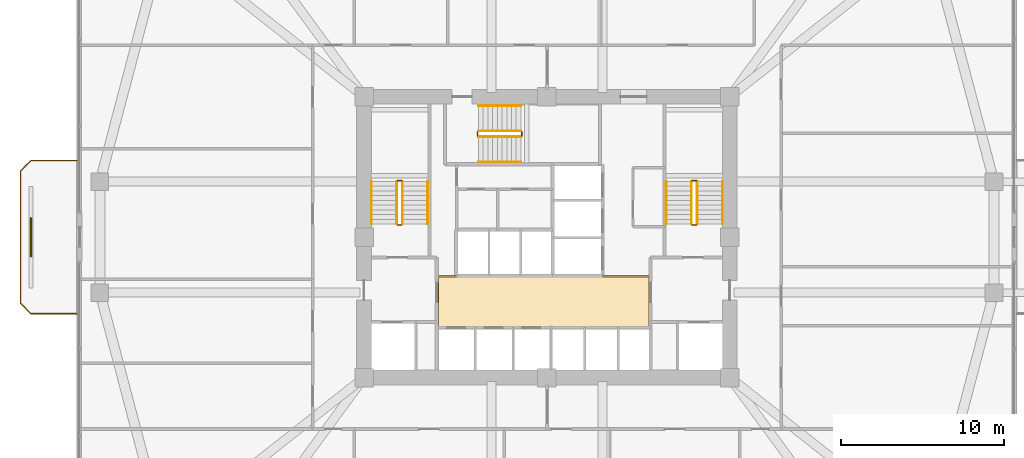
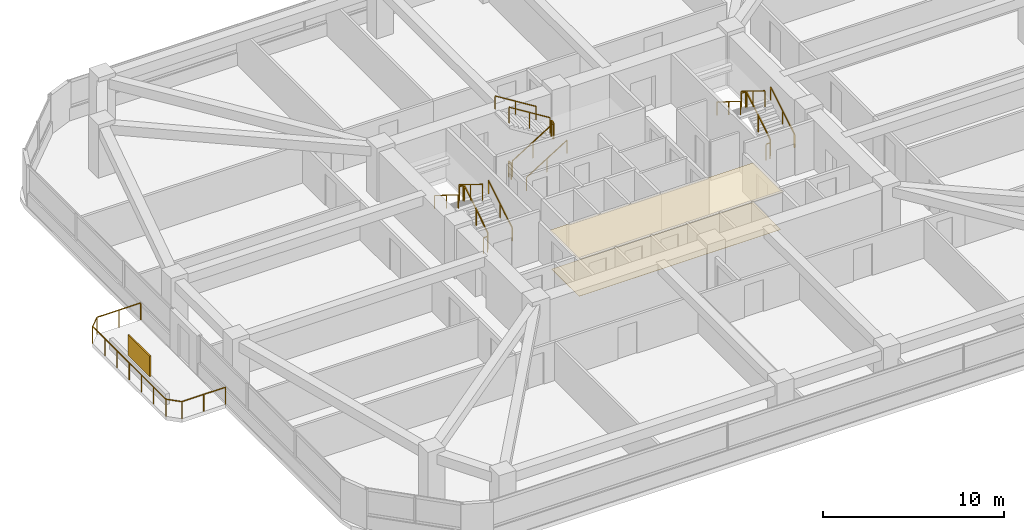
# One storey, part 14 of 15: 19 railings, 2 coverings, 1 shading device.
"""IFC4 building model written with IfcOpenShell, lengths in metres."""

from ifc_helpers import new_model, si_unit, derived_unit, direction, frame, origin, origin_2d, place, context, subcontext, project, spatial, polyline, rectangle, outline, extrude, material, layer, layer_set, type_object, element, save


model = new_model("IFC4")

# Units and contexts
model_context = context("Model", 3, precision=1e-05, world=origin(), true_north=direction((0.0, 1.0)))
body_context = subcontext(model_context, "Body", "Model", "MODEL_VIEW")
ifc_project = project(units=[si_unit("LENGTHUNIT", "METRE"), si_unit("AREAUNIT", "SQUARE_METRE"), si_unit("VOLUMEUNIT", "CUBIC_METRE"), si_unit("PLANEANGLEUNIT", "RADIAN"), si_unit("MASSUNIT", "GRAM", prefix="KILO"), derived_unit("THERMALTRANSMITTANCEUNIT", [(si_unit("POWERUNIT", "WATT"), 1), (si_unit("LENGTHUNIT", "METRE"), -2), (si_unit("THERMODYNAMICTEMPERATUREUNIT", "KELVIN"), -1)])], contexts=[model_context])

# Site, building, storey
site_placement = place(None, origin())
site = spatial("IfcSite", under=ifc_project, at=site_placement, CompositionType="ELEMENT")
building_placement = place(site_placement, origin())
building = spatial("IfcBuilding", under=site, at=building_placement, Name="Koralith Skygarden Medical Center", CompositionType="ELEMENT")
storey_placement = place(building_placement, frame((0.0, 0.0, 56.340087890625)))
storey = spatial("IfcBuildingStorey", under=building, at=storey_placement, Name="L14", CompositionType="ELEMENT", Elevation=56.340087890625)

# Covering
ifc_material_1 = material(Name="Acoustic Mineral Tile")
ifc_layer_1 = layer(ifc_material_1, 0.02001953125)
ifc_layer_set_1 = layer_set([ifc_layer_1], Name="Acoustic Mineral Tile")
covering_type_1 = type_object("IfcCoveringType", Name="Acoustic Hygienic Mineral Ceiling 20", PredefinedType="CEILING", material=ifc_layer_set_1)
covering_1_placement = place(storey_placement, frame((0.0, 0.0, 2.5849609375)))
element("IfcCovering", 1, at=covering_1_placement, inside=storey, type_object=covering_type_1, Name="L14 Core Lobby Acoustic Ceiling", PredefinedType="CEILING", context=body_context, shape_type="SweptSolid", body=[
    extrude(outline(polyline([(30.25, 20.320068359375), (43.35009765625, 20.320068359375), (43.35009765625, 23.56005859375), (30.25, 23.56005859375), (30.25, 20.320068359375)])), origin(), (0.0, 0.0, 1.0), 0.02001953125),
])

# Railing
ifc_material_2 = material(Name="Steel ASTM A500 Grade C", Category="steel")
railing_type_1 = type_object("IfcRailingType", Name="Outdoor Terrace & Balcony Safety Guardrail 1180", PredefinedType="GUARDRAIL", material=ifc_material_2)
railing_1_placement = place(storey_placement, frame((8.199951171875, 21.199951171875, 0.0)))
element("IfcRailing", 2, at=railing_1_placement, inside=storey, type_object=railing_type_1, Name="L14 W Balcony Perimeter Guardrail", PredefinedType="GUARDRAIL", context=body_context, shape_type="SweptSolid", body=[
    extrude(rectangle(XDim=0.050048828125, YDim=0.050048828125, at=origin_2d()), frame((-0.001953125, 0.0, 1.15478515625), z_axis=(-1.0, 0.0, 0.0), x_axis=(0.0, -1.0, 0.0)), (0.0, 0.0, 1.0), 2.796142578125),
    extrude(rectangle(XDim=0.050048828125, YDim=0.050048828125, at=origin_2d()), frame((-2.801513671875, 0.00146484375, 1.15478515625), z_axis=(-0.706973978714, 0.707239558722, 0.0), x_axis=(-0.707239558722, -0.706973978714, 0.0)), (0.0, 0.0, 1.0), 0.915283203125),
    extrude(rectangle(XDim=0.050048828125, YDim=0.050048828125, at=origin_2d()), frame((-3.449951171875, 0.652099609375, 1.15478515625), z_axis=(0.0, 1.0, 0.0), x_axis=(-1.0, 0.0, 0.0)), (0.0, 0.0, 1.0), 8.095947265625),
    extrude(rectangle(XDim=0.050048828125, YDim=0.050048828125, at=origin_2d()), frame((-3.448486328125, 8.75146484375, 1.15478515625), z_axis=(0.706973978714, 0.707239558722, 0.0), x_axis=(-0.707239558722, 0.706973978714, 0.0)), (0.0, 0.0, 1.0), 0.915283203125),
    extrude(rectangle(XDim=0.050048828125, YDim=0.050048828125, at=origin_2d()), frame((-2.798095703125, 9.400146484375, 1.15478515625), z_axis=(1.0, 0.0, 0.0), x_axis=(0.0, 1.0, 0.0)), (0.0, 0.0, 1.0), 2.796142578125),
    extrude(rectangle(XDim=0.0419921875, YDim=0.0419921875, at=origin_2d()), origin(), (0.0, 0.0, 1.0), 1.1279296875),
    extrude(rectangle(XDim=0.0419921875, YDim=0.0419921875, at=origin_2d()), frame((-1.39990234375, 0.0, 0.0)), (0.0, 0.0, 1.0), 1.1279296875),
    extrude(rectangle(XDim=0.0419921875, YDim=0.0419921875, at=origin_2d()), frame((-2.800048828125, 0.0, 0.0)), (0.0, 0.0, 1.0), 1.1279296875),
    extrude(rectangle(XDim=0.0419921875, YDim=0.0419921875, at=origin_2d()), frame((-3.449951171875, 0.650146484375, 0.0)), (0.0, 0.0, 1.0), 1.1279296875),
    extrude(rectangle(XDim=0.0419921875, YDim=0.0419921875, at=origin_2d()), frame((-3.449951171875, 2.0, 0.0)), (0.0, 0.0, 1.0), 1.1279296875),
    extrude(rectangle(XDim=0.0419921875, YDim=0.0419921875, at=origin_2d()), frame((-3.449951171875, 3.35009765625, 0.0)), (0.0, 0.0, 1.0), 1.1279296875),
    extrude(rectangle(XDim=0.0419921875, YDim=0.0419921875, at=origin_2d()), frame((-3.449951171875, 4.7001953125, 0.0)), (0.0, 0.0, 1.0), 1.1279296875),
    extrude(rectangle(XDim=0.0419921875, YDim=0.0419921875, at=origin_2d()), frame((-3.449951171875, 6.050048828125, 0.0)), (0.0, 0.0, 1.0), 1.1279296875),
    extrude(rectangle(XDim=0.0419921875, YDim=0.0419921875, at=origin_2d()), frame((-3.449951171875, 7.39990234375, 0.0)), (0.0, 0.0, 1.0), 1.1279296875),
    extrude(rectangle(XDim=0.0419921875, YDim=0.0419921875, at=origin_2d()), frame((-3.449951171875, 8.75, 0.0)), (0.0, 0.0, 1.0), 1.1279296875),
    extrude(rectangle(XDim=0.0419921875, YDim=0.0419921875, at=origin_2d()), frame((-2.800048828125, 9.400146484375, 0.0)), (0.0, 0.0, 1.0), 1.1279296875),
    extrude(rectangle(XDim=0.0419921875, YDim=0.0419921875, at=origin_2d()), frame((-1.39990234375, 9.400146484375, 0.0)), (0.0, 0.0, 1.0), 1.1279296875),
    extrude(rectangle(XDim=0.0419921875, YDim=0.0419921875, at=origin_2d()), frame((0.0, 9.400146484375, 0.0)), (0.0, 0.0, 1.0), 1.1279296875),
])

# Shading device
ifc_material_3 = material(Name="Aluminium 6063-T6", Category="aluminium")
ifc_layer_2 = layer(ifc_material_3, 0.080078125)
ifc_layer_set_2 = layer_set([ifc_layer_2], Name="Aluminium 6063-T6")
shading_device_type = type_object("IfcShadingDeviceType", Name="Perforated Biophilic Balcony Trellis Screen", PredefinedType="USERDEFINED", material=ifc_layer_set_2)
shading_device_placement = place(storey_placement, frame((5.39990234375, 25.89990234375, 0.719970703125), z_axis=(0.0, 0.0, 1.0), x_axis=(0.0, 1.0, 0.0)))
element("IfcShadingDevice", 3, at=shading_device_placement, inside=storey, type_object=shading_device_type, Name="L14 W Biophilic Balcony Trellis Screen", ObjectType="HURRICANE SCREEN", PredefinedType="USERDEFINED", context=body_context, shape_type="SweptSolid", body=[
    extrude(rectangle(XDim=2.39990234375, YDim=0.080078125, at=origin_2d()), origin(), (0.0, 0.0, 1.0), 1.39990234375),
])

# Covering
ifc_material_4 = material(Name="Medical Terrazzo Flooring")
ifc_layer_3 = layer(ifc_material_4, 0.014892578125)
ifc_layer_set_3 = layer_set([ifc_layer_3], Name="Medical Terrazzo Flooring")
covering_type_2 = type_object("IfcCoveringType", Name="Seamless Antimicrobial Terrazzo Flooring 15", PredefinedType="FLOORING", material=ifc_layer_set_3)
covering_2_placement = place(storey_placement, origin())
element("IfcCovering", 4, at=covering_2_placement, inside=storey, type_object=covering_type_2, Name="L14 Core Lobby Terrazzo Flooring", PredefinedType="FLOORING", context=body_context, shape_type="SweptSolid", body=[
    extrude(outline(polyline([(30.35009765625, 20.419921875), (43.25, 20.419921875), (43.25, 23.4599609375), (30.35009765625, 23.4599609375), (30.35009765625, 20.419921875)])), origin(), (0.0, 0.0, 1.0), 0.014892578125),
])

# Railings
railing_type_2 = type_object("IfcRailingType", Name="Stair Flight Tubular Handrail 920", PredefinedType="HANDRAIL", material=ifc_material_2)
railing_2_placement = place(storey_placement, frame((29.699951171875, 26.699951171875, 0.179931640625)))
element("IfcRailing", 5, at=railing_2_placement, inside=storey, type_object=railing_type_2, Name="L14 ST1 stair handrail 1", PredefinedType="HANDRAIL", context=body_context, shape_type="SweptSolid", body=[
    extrude(rectangle(XDim=0.050048828125, YDim=0.050048828125, at=origin_2d()), frame((0.0, 0.001708984375, 0.89599609375), z_axis=(0.0, 0.849668407637, 0.527317358963), x_axis=(-1.0, 0.0, 0.0)), (0.0, 0.0, 1.0), 3.06787109375),
    extrude(rectangle(XDim=0.0419921875, YDim=0.0419921875, at=origin_2d()), origin(), (0.0, 0.0, 1.0), 0.867919921875),
    extrude(rectangle(XDim=0.0419921875, YDim=0.0419921875, at=origin_2d()), frame((0.0, 1.30517578125, 0.81005859375)), (0.0, 0.0, 1.0), 0.867919921875),
    extrude(rectangle(XDim=0.0419921875, YDim=0.0419921875, at=origin_2d()), frame((0.0, 2.610107421875, 1.619873046875)), (0.0, 0.0, 1.0), 0.867919921875),
])
railing_3_placement = place(storey_placement, frame((26.25, 29.31005859375, 1.97998046875)))
element("IfcRailing", 6, at=railing_3_placement, inside=storey, type_object=railing_type_2, Name="L14 ST1 stair handrail 2", PredefinedType="HANDRAIL", context=body_context, shape_type="SweptSolid", body=[
    extrude(rectangle(XDim=0.050048828125, YDim=0.050048828125, at=origin_2d()), frame((0.0, -0.001708984375, 0.89599609375), z_axis=(0.0, -0.849668407637, 0.527317358963), x_axis=(1.0, 0.0, 0.0)), (0.0, 0.0, 1.0), 3.06787109375),
    extrude(rectangle(XDim=0.0419921875, YDim=0.0419921875, at=origin_2d()), origin(), (0.0, 0.0, 1.0), 0.867919921875),
    extrude(rectangle(XDim=0.0419921875, YDim=0.0419921875, at=origin_2d()), frame((0.0, -1.30517578125, 0.81005859375)), (0.0, 0.0, 1.0), 0.867919921875),
    extrude(rectangle(XDim=0.0419921875, YDim=0.0419921875, at=origin_2d()), frame((0.0, -2.610107421875, 1.619873046875)), (0.0, 0.0, 1.0), 0.867919921875),
])
railing_4_placement = place(storey_placement, frame((47.75, 26.699951171875, 0.179931640625)))
element("IfcRailing", 7, at=railing_4_placement, inside=storey, type_object=railing_type_2, Name="L14 ST2 stair handrail 1", PredefinedType="HANDRAIL", context=body_context, shape_type="SweptSolid", body=[
    extrude(rectangle(XDim=0.050048828125, YDim=0.050048828125, at=origin_2d()), frame((0.0, 0.001708984375, 0.89599609375), z_axis=(0.0, 0.849668407637, 0.527317358963), x_axis=(-1.0, 0.0, 0.0)), (0.0, 0.0, 1.0), 3.06787109375),
    extrude(rectangle(XDim=0.0419921875, YDim=0.0419921875, at=origin_2d()), origin(), (0.0, 0.0, 1.0), 0.867919921875),
    extrude(rectangle(XDim=0.0419921875, YDim=0.0419921875, at=origin_2d()), frame((0.0, 1.30517578125, 0.81005859375)), (0.0, 0.0, 1.0), 0.867919921875),
    extrude(rectangle(XDim=0.0419921875, YDim=0.0419921875, at=origin_2d()), frame((0.0, 2.610107421875, 1.619873046875)), (0.0, 0.0, 1.0), 0.867919921875),
])
railing_5_placement = place(storey_placement, frame((44.300048828125, 29.31005859375, 1.97998046875)))
element("IfcRailing", 8, at=railing_5_placement, inside=storey, type_object=railing_type_2, Name="L14 ST2 stair handrail 2", PredefinedType="HANDRAIL", context=body_context, shape_type="SweptSolid", body=[
    extrude(rectangle(XDim=0.050048828125, YDim=0.050048828125, at=origin_2d()), frame((0.0, -0.001708984375, 0.89599609375), z_axis=(0.0, -0.849668407637, 0.527317358963), x_axis=(1.0, 0.0, 0.0)), (0.0, 0.0, 1.0), 3.06787109375),
    extrude(rectangle(XDim=0.0419921875, YDim=0.0419921875, at=origin_2d()), origin(), (0.0, 0.0, 1.0), 0.867919921875),
    extrude(rectangle(XDim=0.0419921875, YDim=0.0419921875, at=origin_2d()), frame((0.0, -1.30517578125, 0.81005859375)), (0.0, 0.0, 1.0), 0.867919921875),
    extrude(rectangle(XDim=0.0419921875, YDim=0.0419921875, at=origin_2d()), frame((0.0, -2.610107421875, 1.619873046875)), (0.0, 0.0, 1.0), 0.867919921875),
])
railing_6_placement = place(storey_placement, frame((32.800048828125, 30.5, 0.179931640625)))
element("IfcRailing", 9, at=railing_6_placement, inside=storey, type_object=railing_type_2, Name="L14 ST3 stair handrail 1", PredefinedType="HANDRAIL", context=body_context, shape_type="SweptSolid", body=[
    extrude(rectangle(XDim=0.050048828125, YDim=0.050048828125, at=origin_2d()), frame((0.001708984375, 0.0, 0.89599609375), z_axis=(0.849646306263, 0.0, 0.527352969322), x_axis=(0.0, 1.0, 0.0)), (0.0, 0.0, 1.0), 3.067626953125),
    extrude(rectangle(XDim=0.0419921875, YDim=0.0419921875, at=origin_2d()), origin(), (0.0, 0.0, 1.0), 0.867919921875),
    extrude(rectangle(XDim=0.0419921875, YDim=0.0419921875, at=origin_2d()), frame((1.304931640625, 0.0, 0.81005859375)), (0.0, 0.0, 1.0), 0.867919921875),
    extrude(rectangle(XDim=0.0419921875, YDim=0.0419921875, at=origin_2d()), frame((2.60986328125, 0.0, 1.619873046875)), (0.0, 0.0, 1.0), 0.867919921875),
])
railing_7_placement = place(storey_placement, frame((35.409912109375, 33.949951171875, 1.97998046875)))
element("IfcRailing", 10, at=railing_7_placement, inside=storey, type_object=railing_type_2, Name="L14 ST3 stair handrail 2", PredefinedType="HANDRAIL", context=body_context, shape_type="SweptSolid", body=[
    extrude(rectangle(XDim=0.050048828125, YDim=0.050048828125, at=origin_2d()), frame((-0.001708984375, 0.0, 0.89599609375), z_axis=(-0.849646306263, 0.0, 0.527352969322), x_axis=(0.0, -1.0, 0.0)), (0.0, 0.0, 1.0), 3.067626953125),
    extrude(rectangle(XDim=0.0419921875, YDim=0.0419921875, at=origin_2d()), origin(), (0.0, 0.0, 1.0), 0.867919921875),
    extrude(rectangle(XDim=0.0419921875, YDim=0.0419921875, at=origin_2d()), frame((-1.304931640625, 0.0, 0.81005859375)), (0.0, 0.0, 1.0), 0.867919921875),
    extrude(rectangle(XDim=0.0419921875, YDim=0.0419921875, at=origin_2d()), frame((-2.60986328125, 0.0, 1.619873046875)), (0.0, 0.0, 1.0), 0.867919921875),
])
railing_type_3 = type_object("IfcRailingType", Name="Stair Well Safety Guardrail 1100", PredefinedType="GUARDRAIL", material=ifc_material_2)
railing_8_placement = place(storey_placement, frame((28.14990234375, 26.699951171875, 0.179931640625)))
element("IfcRailing", 11, at=railing_8_placement, inside=storey, type_object=railing_type_3, Name="L14 ST1 stair guard 1", PredefinedType="GUARDRAIL", context=body_context, shape_type="SweptSolid", body=[
    extrude(rectangle(XDim=0.050048828125, YDim=0.050048828125, at=origin_2d()), frame((0.0, 0.001708984375, 1.076171875), z_axis=(0.0, 0.849668407637, 0.527317358963), x_axis=(-1.0, 0.0, 0.0)), (0.0, 0.0, 1.0), 3.06787109375),
    extrude(rectangle(XDim=0.0419921875, YDim=0.0419921875, at=origin_2d()), origin(), (0.0, 0.0, 1.0), 1.048095703125),
    extrude(rectangle(XDim=0.0419921875, YDim=0.0419921875, at=origin_2d()), frame((0.0, 1.30517578125, 0.81005859375)), (0.0, 0.0, 1.0), 1.048095703125),
    extrude(rectangle(XDim=0.0419921875, YDim=0.0419921875, at=origin_2d()), frame((0.0, 2.610107421875, 1.619873046875)), (0.0, 0.0, 1.0), 1.048095703125),
])
railing_9_placement = place(storey_placement, frame((28.10009765625, 29.360107421875, 1.7998046875)))
element("IfcRailing", 12, at=railing_9_placement, inside=storey, type_object=railing_type_3, Name="L14 ST1 stair guard 2", PredefinedType="GUARDRAIL", context=body_context, shape_type="SweptSolid", body=[
    extrude(rectangle(XDim=0.050048828125, YDim=0.050048828125, at=origin_2d()), frame((-0.001953125, 0.0, 1.0751953125), z_axis=(-1.0, 0.0, 0.0), x_axis=(0.0, -1.0, 0.0)), (0.0, 0.0, 1.0), 0.24609375),
    extrude(rectangle(XDim=0.0419921875, YDim=0.0419921875, at=origin_2d()), origin(), (0.0, 0.0, 1.0), 1.048095703125),
    extrude(rectangle(XDim=0.0419921875, YDim=0.0419921875, at=origin_2d()), frame((-0.25, 0.0, 0.0)), (0.0, 0.0, 1.0), 1.048095703125),
])
railing_10_placement = place(storey_placement, frame((27.800048828125, 29.31005859375, 1.97998046875)))
element("IfcRailing", 13, at=railing_10_placement, inside=storey, type_object=railing_type_3, Name="L14 ST1 stair guard 3", PredefinedType="GUARDRAIL", context=body_context, shape_type="SweptSolid", body=[
    extrude(rectangle(XDim=0.050048828125, YDim=0.050048828125, at=origin_2d()), frame((0.0, -0.001708984375, 1.076171875), z_axis=(0.0, -0.849668407637, 0.527317358963), x_axis=(1.0, 0.0, 0.0)), (0.0, 0.0, 1.0), 3.06787109375),
    extrude(rectangle(XDim=0.0419921875, YDim=0.0419921875, at=origin_2d()), origin(), (0.0, 0.0, 1.0), 1.048095703125),
    extrude(rectangle(XDim=0.0419921875, YDim=0.0419921875, at=origin_2d()), frame((0.0, -1.30517578125, 0.81005859375)), (0.0, 0.0, 1.0), 1.048095703125),
    extrude(rectangle(XDim=0.0419921875, YDim=0.0419921875, at=origin_2d()), frame((0.0, -2.610107421875, 1.619873046875)), (0.0, 0.0, 1.0), 1.048095703125),
])
railing_11_placement = place(storey_placement, frame((28.10009765625, 26.64990234375, 0.0)))
element("IfcRailing", 14, at=railing_11_placement, inside=storey, type_object=railing_type_3, Name="L14 ST1 stair guard 4", PredefinedType="GUARDRAIL", context=body_context, shape_type="SweptSolid", body=[
    extrude(rectangle(XDim=0.050048828125, YDim=0.050048828125, at=origin_2d()), frame((-0.001953125, 0.0, 1.0751953125), z_axis=(-1.0, 0.0, 0.0), x_axis=(0.0, -1.0, 0.0)), (0.0, 0.0, 1.0), 0.24609375),
    extrude(rectangle(XDim=0.0419921875, YDim=0.0419921875, at=origin_2d()), origin(), (0.0, 0.0, 1.0), 1.048095703125),
    extrude(rectangle(XDim=0.0419921875, YDim=0.0419921875, at=origin_2d()), frame((-0.25, 0.0, 0.0)), (0.0, 0.0, 1.0), 1.048095703125),
])
railing_12_placement = place(storey_placement, frame((46.199951171875, 26.699951171875, 0.179931640625)))
element("IfcRailing", 15, at=railing_12_placement, inside=storey, type_object=railing_type_3, Name="L14 ST2 stair guard 1", PredefinedType="GUARDRAIL", context=body_context, shape_type="SweptSolid", body=[
    extrude(rectangle(XDim=0.050048828125, YDim=0.050048828125, at=origin_2d()), frame((0.0, 0.001708984375, 1.076171875), z_axis=(0.0, 0.849668407637, 0.527317358963), x_axis=(-1.0, 0.0, 0.0)), (0.0, 0.0, 1.0), 3.06787109375),
    extrude(rectangle(XDim=0.0419921875, YDim=0.0419921875, at=origin_2d()), origin(), (0.0, 0.0, 1.0), 1.048095703125),
    extrude(rectangle(XDim=0.0419921875, YDim=0.0419921875, at=origin_2d()), frame((0.0, 1.30517578125, 0.81005859375)), (0.0, 0.0, 1.0), 1.048095703125),
    extrude(rectangle(XDim=0.0419921875, YDim=0.0419921875, at=origin_2d()), frame((0.0, 2.610107421875, 1.619873046875)), (0.0, 0.0, 1.0), 1.048095703125),
])
railing_13_placement = place(storey_placement, frame((46.14990234375, 29.360107421875, 1.7998046875)))
element("IfcRailing", 16, at=railing_13_placement, inside=storey, type_object=railing_type_3, Name="L14 ST2 stair guard 2", PredefinedType="GUARDRAIL", context=body_context, shape_type="SweptSolid", body=[
    extrude(rectangle(XDim=0.050048828125, YDim=0.050048828125, at=origin_2d()), frame((-0.001953125, 0.0, 1.0751953125), z_axis=(-1.0, 0.0, 0.0), x_axis=(0.0, -1.0, 0.0)), (0.0, 0.0, 1.0), 0.24609375),
    extrude(rectangle(XDim=0.0419921875, YDim=0.0419921875, at=origin_2d()), origin(), (0.0, 0.0, 1.0), 1.048095703125),
    extrude(rectangle(XDim=0.0419921875, YDim=0.0419921875, at=origin_2d()), frame((-0.25, 0.0, 0.0)), (0.0, 0.0, 1.0), 1.048095703125),
])
railing_14_placement = place(storey_placement, frame((45.85009765625, 29.31005859375, 1.97998046875)))
element("IfcRailing", 17, at=railing_14_placement, inside=storey, type_object=railing_type_3, Name="L14 ST2 stair guard 3", PredefinedType="GUARDRAIL", context=body_context, shape_type="SweptSolid", body=[
    extrude(rectangle(XDim=0.050048828125, YDim=0.050048828125, at=origin_2d()), frame((0.0, -0.001708984375, 1.076171875), z_axis=(0.0, -0.849668407637, 0.527317358963), x_axis=(1.0, 0.0, 0.0)), (0.0, 0.0, 1.0), 3.06787109375),
    extrude(rectangle(XDim=0.0419921875, YDim=0.0419921875, at=origin_2d()), origin(), (0.0, 0.0, 1.0), 1.048095703125),
    extrude(rectangle(XDim=0.0419921875, YDim=0.0419921875, at=origin_2d()), frame((0.0, -1.30517578125, 0.81005859375)), (0.0, 0.0, 1.0), 1.048095703125),
    extrude(rectangle(XDim=0.0419921875, YDim=0.0419921875, at=origin_2d()), frame((0.0, -2.610107421875, 1.619873046875)), (0.0, 0.0, 1.0), 1.048095703125),
])
railing_15_placement = place(storey_placement, frame((46.14990234375, 26.64990234375, 0.0)))
element("IfcRailing", 18, at=railing_15_placement, inside=storey, type_object=railing_type_3, Name="L14 ST2 stair guard 4", PredefinedType="GUARDRAIL", context=body_context, shape_type="SweptSolid", body=[
    extrude(rectangle(XDim=0.050048828125, YDim=0.050048828125, at=origin_2d()), frame((-0.001953125, 0.0, 1.0751953125), z_axis=(-1.0, 0.0, 0.0), x_axis=(0.0, -1.0, 0.0)), (0.0, 0.0, 1.0), 0.24609375),
    extrude(rectangle(XDim=0.0419921875, YDim=0.0419921875, at=origin_2d()), origin(), (0.0, 0.0, 1.0), 1.048095703125),
    extrude(rectangle(XDim=0.0419921875, YDim=0.0419921875, at=origin_2d()), frame((-0.25, 0.0, 0.0)), (0.0, 0.0, 1.0), 1.048095703125),
])
railing_16_placement = place(storey_placement, frame((32.800048828125, 32.050048828125, 0.179931640625)))
element("IfcRailing", 19, at=railing_16_placement, inside=storey, type_object=railing_type_3, Name="L14 ST3 stair guard 1", PredefinedType="GUARDRAIL", context=body_context, shape_type="SweptSolid", body=[
    extrude(rectangle(XDim=0.050048828125, YDim=0.050048828125, at=origin_2d()), frame((0.001708984375, 0.0, 1.076171875), z_axis=(0.849646306263, 0.0, 0.527352969322), x_axis=(0.0, 1.0, 0.0)), (0.0, 0.0, 1.0), 3.067626953125),
    extrude(rectangle(XDim=0.0419921875, YDim=0.0419921875, at=origin_2d()), origin(), (0.0, 0.0, 1.0), 1.048095703125),
    extrude(rectangle(XDim=0.0419921875, YDim=0.0419921875, at=origin_2d()), frame((1.304931640625, 0.0, 0.81005859375)), (0.0, 0.0, 1.0), 1.048095703125),
    extrude(rectangle(XDim=0.0419921875, YDim=0.0419921875, at=origin_2d()), frame((2.60986328125, 0.0, 1.619873046875)), (0.0, 0.0, 1.0), 1.048095703125),
])
railing_17_placement = place(storey_placement, frame((35.4599609375, 32.10009765625, 1.7998046875)))
element("IfcRailing", 20, at=railing_17_placement, inside=storey, type_object=railing_type_3, Name="L14 ST3 stair guard 2", PredefinedType="GUARDRAIL", context=body_context, shape_type="SweptSolid", body=[
    extrude(rectangle(XDim=0.050048828125, YDim=0.050048828125, at=origin_2d()), frame((0.0, 0.001953125, 1.0751953125), z_axis=(0.0, 1.0, 0.0), x_axis=(-1.0, 0.0, 0.0)), (0.0, 0.0, 1.0), 0.24609375),
    extrude(rectangle(XDim=0.0419921875, YDim=0.0419921875, at=origin_2d()), origin(), (0.0, 0.0, 1.0), 1.048095703125),
    extrude(rectangle(XDim=0.0419921875, YDim=0.0419921875, at=origin_2d()), frame((0.0, 0.25, 0.0)), (0.0, 0.0, 1.0), 1.048095703125),
])
railing_18_placement = place(storey_placement, frame((35.409912109375, 32.39990234375, 1.97998046875)))
element("IfcRailing", 21, at=railing_18_placement, inside=storey, type_object=railing_type_3, Name="L14 ST3 stair guard 3", PredefinedType="GUARDRAIL", context=body_context, shape_type="SweptSolid", body=[
    extrude(rectangle(XDim=0.050048828125, YDim=0.050048828125, at=origin_2d()), frame((-0.001708984375, 0.0, 1.076171875), z_axis=(-0.849646306263, 0.0, 0.527352969322), x_axis=(0.0, -1.0, 0.0)), (0.0, 0.0, 1.0), 3.067626953125),
    extrude(rectangle(XDim=0.0419921875, YDim=0.0419921875, at=origin_2d()), origin(), (0.0, 0.0, 1.0), 1.048095703125),
    extrude(rectangle(XDim=0.0419921875, YDim=0.0419921875, at=origin_2d()), frame((-1.304931640625, 0.0, 0.81005859375)), (0.0, 0.0, 1.0), 1.048095703125),
    extrude(rectangle(XDim=0.0419921875, YDim=0.0419921875, at=origin_2d()), frame((-2.60986328125, 0.0, 1.619873046875)), (0.0, 0.0, 1.0), 1.048095703125),
])
railing_19_placement = place(storey_placement, frame((32.75, 32.10009765625, 0.0)))
element("IfcRailing", 22, at=railing_19_placement, inside=storey, type_object=railing_type_3, Name="L14 ST3 stair guard 4", PredefinedType="GUARDRAIL", context=body_context, shape_type="SweptSolid", body=[
    extrude(rectangle(XDim=0.050048828125, YDim=0.050048828125, at=origin_2d()), frame((0.0, 0.001953125, 1.0751953125), z_axis=(0.0, 1.0, 0.0), x_axis=(-1.0, 0.0, 0.0)), (0.0, 0.0, 1.0), 0.24609375),
    extrude(rectangle(XDim=0.0419921875, YDim=0.0419921875, at=origin_2d()), origin(), (0.0, 0.0, 1.0), 1.048095703125),
    extrude(rectangle(XDim=0.0419921875, YDim=0.0419921875, at=origin_2d()), frame((0.0, 0.25, 0.0)), (0.0, 0.0, 1.0), 1.048095703125),
])

save(model, "model.ifc")
